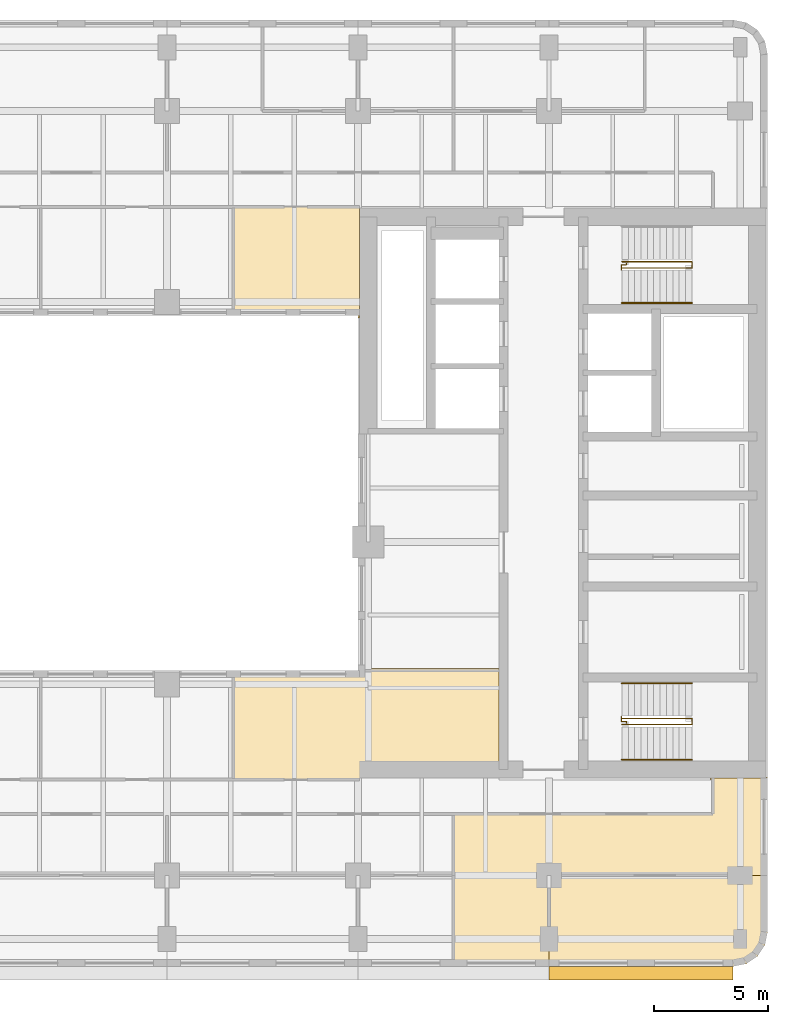
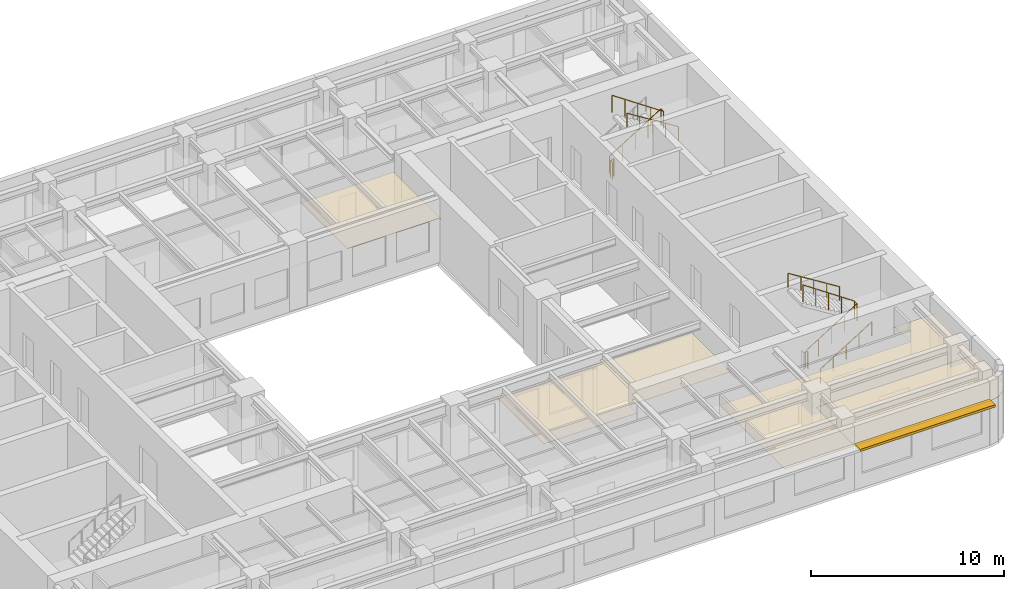
# One storey, part 10 of 11: 7 railings, 4 coverings, 1 shading device.
"""IFC4 building model written with IfcOpenShell, lengths in metres."""

from ifc_helpers import new_model, si_unit, direction, frame, origin, origin_2d, place, context, subcontext, project, spatial, polyline, rectangle, circle, outline, extrude, material, layer, layer_set, type_object, element, save


model = new_model("IFC4")

# Units and contexts
model_context = context("Model", 3, precision=1e-05, world=origin(), true_north=direction((0.0, 1.0)))
body_context = subcontext(model_context, "Body", "Model", "MODEL_VIEW")
ifc_project = project(units=[si_unit("LENGTHUNIT", "METRE"), si_unit("AREAUNIT", "SQUARE_METRE"), si_unit("VOLUMEUNIT", "CUBIC_METRE"), si_unit("PLANEANGLEUNIT", "RADIAN"), si_unit("MASSUNIT", "GRAM", prefix="KILO")], contexts=[model_context])

# Site, building, storey
site_placement = place(None, origin())
site = spatial("IfcSite", under=ifc_project, at=site_placement, CompositionType="ELEMENT")
building_placement = place(site_placement, origin())
building = spatial("IfcBuilding", under=site, at=building_placement, Name="Claustro Exchange Tower", CompositionType="ELEMENT")
storey_placement = place(building_placement, frame((0.0, 0.0, 219.60009765625)))
storey = spatial("IfcBuildingStorey", under=building, at=storey_placement, Name="L50", CompositionType="ELEMENT", Elevation=219.60009765625)

# Coverings
ifc_material_1 = material(Name="Gypsum board ceiling", Category="gypsum board")
ifc_layer_1 = layer(ifc_material_1, 0.02490234375)
ifc_layer_set_1 = layer_set([ifc_layer_1], Name="Gypsum board ceiling")
covering_type = type_object("IfcCoveringType", Name="CL2 plasterboard ceiling", PredefinedType="CEILING", material=ifc_layer_set_1)
covering_1_placement = place(storey_placement, frame((0.0, 0.0, 2.7998046875)))
element("IfcCovering", 1, at=covering_1_placement, inside=storey, type_object=covering_type, Name="Ceiling CL2 L50-06", PredefinedType="CEILING", context=body_context, shape_type="SweptSolid", body=[
    extrude(outline(polyline([(51.60009765625, 5.89990234375), (51.60009765625, 8.39990234375), (42.0, 8.39990234375), (42.0, 4.39990234375), (50.10009765625, 4.39990234375), (50.674072265625, 4.51416015625), (51.16064453125, 4.83935546875), (51.48583984375, 5.325927734375), (51.60009765625, 5.89990234375)])), origin(), (0.0, 0.0, 1.0), 0.025146484375),
])
covering_2_placement = place(storey_placement, frame((0.0, 0.0, 2.7998046875)))
element("IfcCovering", 2, at=covering_2_placement, inside=storey, type_object=covering_type, Name="Ceiling CL2 L50-07", PredefinedType="CEILING", context=body_context, shape_type="SweptSolid", body=[
    extrude(outline(polyline([(51.60009765625, 8.39990234375), (51.60009765625, 12.695068359375), (51.52490234375, 12.695068359375), (51.52490234375, 12.675048828125), (49.10498046875, 12.675048828125), (49.10498046875, 12.60009765625), (49.199951171875, 12.60009765625), (49.199951171875, 11.10009765625), (37.800048828125, 11.10009765625), (37.800048828125, 4.39990234375), (42.0, 4.39990234375), (42.0, 8.39990234375), (51.60009765625, 8.39990234375)])), origin(), (0.0, 0.0, 1.0), 0.025146484375),
])
covering_3_placement = place(storey_placement, frame((0.0, 0.0, 2.7998046875)))
element("IfcCovering", 3, at=covering_3_placement, inside=storey, type_object=covering_type, Name="Ceiling CL2 L50-14", PredefinedType="CEILING", context=body_context, shape_type="SweptSolid", body=[
    extrude(outline(polyline([(39.800048828125, 13.405029296875), (39.800048828125, 17.4951171875), (33.60009765625, 17.4951171875), (33.60009765625, 17.39990234375), (28.1298828125, 17.39990234375), (28.1298828125, 12.60009765625), (33.695068359375, 12.60009765625), (33.695068359375, 13.405029296875), (39.800048828125, 13.405029296875)])), origin(), (0.0, 0.0, 1.0), 0.025146484375),
])
covering_4_placement = place(storey_placement, frame((0.0, 0.0, 2.7998046875)))
element("IfcCovering", 4, at=covering_4_placement, inside=storey, type_object=covering_type, Name="Ceiling CL2 L50-20", PredefinedType="CEILING", context=body_context, shape_type="SweptSolid", body=[
    extrude(outline(polyline([(33.60009765625, 33.0), (33.60009765625, 32.905029296875), (33.675048828125, 32.905029296875), (33.675048828125, 37.72509765625), (33.695068359375, 37.72509765625), (33.695068359375, 37.800048828125), (28.1298828125, 37.800048828125), (28.1298828125, 33.0), (33.60009765625, 33.0)])), origin(), (0.0, 0.0, 1.0), 0.025146484375),
])

# Railings
ifc_material_2 = material(Name="Steel balustrade, painted", Category="steel")
railing_type_1 = type_object("IfcRailingType", Name="GR2 1100 steel stair guard", PredefinedType="GUARDRAIL", material=ifc_material_2)
railing_1_placement = place(storey_placement, frame((45.199951171875, 15.02490234375, 0.1748046875)))
element("IfcRailing", 5, at=railing_1_placement, inside=storey, type_object=railing_type_1, Name="Stair well guard GR2 stair STEA L50", PredefinedType="GUARDRAIL", context=body_context, shape_type="SweptSolid", body=[
    extrude(circle(Radius=0.02392578125, at=origin_2d()), frame((0.0, 0.0, 1.076171875), z_axis=(0.847998304005, 0.0, 0.529998940003), x_axis=(0.0, 1.0, 0.0)), (0.0, 0.0, 1.0), 3.632080078125),
    extrude(circle(Radius=0.02392578125, at=origin_2d()), frame((3.080078125, 0.0, 3.0009765625), z_axis=(0.0, 1.0, 0.0), x_axis=(-1.0, 0.0, 0.0)), (0.0, 0.0, 1.0), 0.275146484375),
    extrude(circle(Radius=0.02392578125, at=origin_2d()), frame((3.080078125, 0.275146484375, 3.0009765625), z_axis=(-0.826221800596, 0.0, 0.563344953133), x_axis=(0.0, -1.0, 0.0)), (0.0, 0.0, 1.0), 3.72802734375),
    extrude(circle(Radius=0.02099609375, at=origin_2d()), origin(), (0.0, 0.0, 1.0), 1.052001953125),
    extrude(circle(Radius=0.02099609375, at=origin_2d()), frame((0.77001953125, 0.0, 0.481201171875)), (0.0, 0.0, 1.0), 1.052001953125),
    extrude(circle(Radius=0.02099609375, at=origin_2d()), frame((1.5400390625, 0.0, 0.96240234375)), (0.0, 0.0, 1.0), 1.052001953125),
    extrude(circle(Radius=0.02099609375, at=origin_2d()), frame((2.31005859375, 0.0, 1.44384765625)), (0.0, 0.0, 1.0), 1.052001953125),
    extrude(circle(Radius=0.02099609375, at=origin_2d()), frame((3.080078125, 0.0, 1.925048828125)), (0.0, 0.0, 1.0), 1.052001953125),
    extrude(circle(Radius=0.02099609375, at=origin_2d()), frame((3.080078125, 0.275146484375, 1.925048828125)), (0.0, 0.0, 1.0), 1.052001953125),
    extrude(circle(Radius=0.02099609375, at=origin_2d()), frame((2.31005859375, 0.275146484375, 2.4501953125)), (0.0, 0.0, 1.0), 1.052001953125),
    extrude(circle(Radius=0.02099609375, at=origin_2d()), frame((1.5400390625, 0.275146484375, 2.97509765625)), (0.0, 0.0, 1.0), 1.052001953125),
    extrude(circle(Radius=0.02099609375, at=origin_2d()), frame((0.77001953125, 0.275146484375, 3.5)), (0.0, 0.0, 1.0), 1.052001953125),
    extrude(circle(Radius=0.02099609375, at=origin_2d()), frame((0.0, 0.275146484375, 4.025146484375)), (0.0, 0.0, 1.0), 1.052001953125),
])
railing_2_placement = place(storey_placement, frame((45.39990234375, 15.094970703125, 0.0)))
element("IfcRailing", 6, at=railing_2_placement, inside=storey, type_object=railing_type_1, Name="Stair guard GR2 STEA L50", PredefinedType="GUARDRAIL", context=body_context, shape_type="SweptSolid", body=[
    extrude(circle(Radius=0.02392578125, at=origin_2d()), frame((0.0, 0.0, 1.076171875), z_axis=(0.0, 1.0, 0.0), x_axis=(-1.0, 0.0, 0.0)), (0.0, 0.0, 1.0), 0.067626953125),
    extrude(circle(Radius=0.02392578125, at=origin_2d()), frame((0.0, 0.067626953125, 1.076171875), z_axis=(-1.0, 0.0, 0.0), x_axis=(0.0, -1.0, 0.0)), (0.0, 0.0, 1.0), 0.224853515625),
    extrude(circle(Radius=0.02392578125, at=origin_2d()), frame((-0.224853515625, 0.067626953125, 1.076171875), z_axis=(0.0, 1.0, 0.0), x_axis=(-1.0, 0.0, 0.0)), (0.0, 0.0, 1.0), 0.21728515625),
    extrude(circle(Radius=0.02099609375, at=origin_2d()), origin(), (0.0, 0.0, 1.0), 1.052001953125),
    extrude(circle(Radius=0.02099609375, at=origin_2d()), frame((0.0, 0.067626953125, 0.0)), (0.0, 0.0, 1.0), 1.052001953125),
    extrude(circle(Radius=0.02099609375, at=origin_2d()), frame((-0.224853515625, 0.067626953125, 0.0)), (0.0, 0.0, 1.0), 1.052001953125),
    extrude(circle(Radius=0.02099609375, at=origin_2d()), frame((-0.224853515625, 0.284912109375, 0.0)), (0.0, 0.0, 1.0), 1.052001953125),
])
railing_3_placement = place(storey_placement, frame((45.199951171875, 35.375, 0.1748046875)))
element("IfcRailing", 7, at=railing_3_placement, inside=storey, type_object=railing_type_1, Name="Stair well guard GR2 stair STEB L50", PredefinedType="GUARDRAIL", context=body_context, shape_type="SweptSolid", body=[
    extrude(circle(Radius=0.02392578125, at=origin_2d()), frame((0.0, 0.0, 1.076171875), z_axis=(0.847998304005, 0.0, 0.529998940003), x_axis=(0.0, 1.0, 0.0)), (0.0, 0.0, 1.0), 3.632080078125),
    extrude(circle(Radius=0.02392578125, at=origin_2d()), frame((3.080078125, 0.0, 3.0009765625), z_axis=(0.0, -1.0, 0.0), x_axis=(1.0, 0.0, 0.0)), (0.0, 0.0, 1.0), 0.27490234375),
    extrude(circle(Radius=0.02392578125, at=origin_2d()), frame((3.080078125, -0.27490234375, 3.0009765625), z_axis=(-0.826221800596, 0.0, 0.563344953133), x_axis=(0.0, -1.0, 0.0)), (0.0, 0.0, 1.0), 3.72802734375),
    extrude(circle(Radius=0.02099609375, at=origin_2d()), origin(), (0.0, 0.0, 1.0), 1.052001953125),
    extrude(circle(Radius=0.02099609375, at=origin_2d()), frame((0.77001953125, 0.0, 0.481201171875)), (0.0, 0.0, 1.0), 1.052001953125),
    extrude(circle(Radius=0.02099609375, at=origin_2d()), frame((1.5400390625, 0.0, 0.96240234375)), (0.0, 0.0, 1.0), 1.052001953125),
    extrude(circle(Radius=0.02099609375, at=origin_2d()), frame((2.31005859375, 0.0, 1.44384765625)), (0.0, 0.0, 1.0), 1.052001953125),
    extrude(circle(Radius=0.02099609375, at=origin_2d()), frame((3.080078125, 0.0, 1.925048828125)), (0.0, 0.0, 1.0), 1.052001953125),
    extrude(circle(Radius=0.02099609375, at=origin_2d()), frame((3.080078125, -0.27490234375, 1.925048828125)), (0.0, 0.0, 1.0), 1.052001953125),
    extrude(circle(Radius=0.02099609375, at=origin_2d()), frame((2.31005859375, -0.27490234375, 2.4501953125)), (0.0, 0.0, 1.0), 1.052001953125),
    extrude(circle(Radius=0.02099609375, at=origin_2d()), frame((1.5400390625, -0.27490234375, 2.97509765625)), (0.0, 0.0, 1.0), 1.052001953125),
    extrude(circle(Radius=0.02099609375, at=origin_2d()), frame((0.77001953125, -0.27490234375, 3.5)), (0.0, 0.0, 1.0), 1.052001953125),
    extrude(circle(Radius=0.02099609375, at=origin_2d()), frame((0.0, -0.27490234375, 4.025146484375)), (0.0, 0.0, 1.0), 1.052001953125),
])
railing_4_placement = place(storey_placement, frame((45.39990234375, 35.304931640625, 0.0)))
element("IfcRailing", 8, at=railing_4_placement, inside=storey, type_object=railing_type_1, Name="Stair guard GR2 STEB L50", PredefinedType="GUARDRAIL", context=body_context, shape_type="SweptSolid", body=[
    extrude(circle(Radius=0.02392578125, at=origin_2d()), frame((0.0, 0.0, 1.076171875), z_axis=(0.0, -1.0, 0.0), x_axis=(1.0, 0.0, 0.0)), (0.0, 0.0, 1.0), 0.0673828125),
    extrude(circle(Radius=0.02392578125, at=origin_2d()), frame((0.0, -0.0673828125, 1.076171875), z_axis=(-1.0, 0.0, 0.0), x_axis=(0.0, -1.0, 0.0)), (0.0, 0.0, 1.0), 0.224853515625),
    extrude(circle(Radius=0.02392578125, at=origin_2d()), frame((-0.224853515625, -0.0673828125, 1.076171875), z_axis=(0.0, -1.0, 0.0), x_axis=(1.0, 0.0, 0.0)), (0.0, 0.0, 1.0), 0.217529296875),
    extrude(circle(Radius=0.02099609375, at=origin_2d()), origin(), (0.0, 0.0, 1.0), 1.052001953125),
    extrude(circle(Radius=0.02099609375, at=origin_2d()), frame((0.0, -0.0673828125, 0.0)), (0.0, 0.0, 1.0), 1.052001953125),
    extrude(circle(Radius=0.02099609375, at=origin_2d()), frame((-0.224853515625, -0.0673828125, 0.0)), (0.0, 0.0, 1.0), 1.052001953125),
    extrude(circle(Radius=0.02099609375, at=origin_2d()), frame((-0.224853515625, -0.284912109375, 0.0)), (0.0, 0.0, 1.0), 1.052001953125),
])
ifc_material_3 = material(Name="Stainless steel tube", Category="steel")
railing_type_2 = type_object("IfcRailingType", Name="HR1 900 stair handrail", PredefinedType="HANDRAIL", material=ifc_material_3)
railing_5_placement = place(storey_placement, frame((45.199951171875, 13.485107421875, 0.1748046875)))
element("IfcRailing", 9, at=railing_5_placement, inside=storey, type_object=railing_type_2, Name="Handrail HR1 stair STEA L50", PredefinedType="HANDRAIL", context=body_context, shape_type="SweptSolid", body=[
    extrude(circle(Radius=0.02392578125, at=origin_2d()), frame((0.0, 0.0, 0.8759765625), z_axis=(0.847998304005, 0.0, 0.529998940003), x_axis=(0.0, 1.0, 0.0)), (0.0, 0.0, 1.0), 3.632080078125),
    extrude(circle(Radius=0.02099609375, at=origin_2d()), origin(), (0.0, 0.0, 1.0), 0.851806640625),
    extrude(circle(Radius=0.02099609375, at=origin_2d()), frame((0.77001953125, 0.0, 0.481201171875)), (0.0, 0.0, 1.0), 0.851806640625),
    extrude(circle(Radius=0.02099609375, at=origin_2d()), frame((1.5400390625, 0.0, 0.96240234375)), (0.0, 0.0, 1.0), 0.851806640625),
    extrude(circle(Radius=0.02099609375, at=origin_2d()), frame((2.31005859375, 0.0, 1.44384765625)), (0.0, 0.0, 1.0), 0.851806640625),
    extrude(circle(Radius=0.02099609375, at=origin_2d()), frame((3.080078125, 0.0, 1.925048828125)), (0.0, 0.0, 1.0), 0.851806640625),
])
for number, where, name in (
    (10, (48.280029296875, 16.840087890625, 2.27490234375), "Handrail HR1 stair STEA L50"),
    (11, (48.280029296875, 33.56005859375, 2.27490234375), "Handrail HR1 stair STEB L50"),
):
    element("IfcRailing", number, at=place(storey_placement, frame(where)), inside=storey, type_object=railing_type_2, Name=name, PredefinedType="HANDRAIL", context=body_context, shape_type="SweptSolid", body=[
        extrude(circle(Radius=0.02392578125, at=origin_2d()), frame((0.0, 0.0, 0.8759765625), z_axis=(-0.847998304005, 0.0, 0.529998940003), x_axis=(0.0, -1.0, 0.0)), (0.0, 0.0, 1.0), 3.632080078125),
        extrude(circle(Radius=0.02099609375, at=origin_2d()), origin(), (0.0, 0.0, 1.0), 0.851806640625),
        extrude(circle(Radius=0.02099609375, at=origin_2d()), frame((-0.77001953125, 0.0, 0.481201171875)), (0.0, 0.0, 1.0), 0.851806640625),
        extrude(circle(Radius=0.02099609375, at=origin_2d()), frame((-1.5400390625, 0.0, 0.96240234375)), (0.0, 0.0, 1.0), 0.851806640625),
        extrude(circle(Radius=0.02099609375, at=origin_2d()), frame((-2.31005859375, 0.0, 1.44384765625)), (0.0, 0.0, 1.0), 0.851806640625),
        extrude(circle(Radius=0.02099609375, at=origin_2d()), frame((-3.080078125, 0.0, 1.925048828125)), (0.0, 0.0, 1.0), 0.851806640625),
    ])

# Shading device
ifc_material_4 = material(Name="Concrete HA-40 (C40/50), precast, white cement, acid-etched", Category="concrete")
ifc_layer_2 = layer(ifc_material_4, 0.14990234375)
ifc_layer_set_2 = layer_set([ifc_layer_2], Name="Concrete HA-40 (C40/50), precast, white cement, acid-etched")
shading_device_type = type_object("IfcShadingDeviceType", Name="SS1 600 precast concrete SUNSHADE", PredefinedType="SHUTTER", material=ifc_layer_set_2)
shading_device_placement = place(storey_placement, frame((46.04248046875, 4.10009765625, 2.800048828125), z_axis=(0.0, 0.0, 1.0), x_axis=(-1.0, 0.0, 0.0)))
element("IfcShadingDevice", 12, at=shading_device_placement, inside=storey, type_object=shading_device_type, Name="Precast SUNSHADE SS1 L50", PredefinedType="SHUTTER", context=body_context, shape_type="SweptSolid", body=[
    extrude(rectangle(XDim=8.085205078125, YDim=0.60009765625, at=origin_2d()), origin(), (0.0, 0.0, 1.0), 0.14990234375),
])

save(model, "model.ifc")
